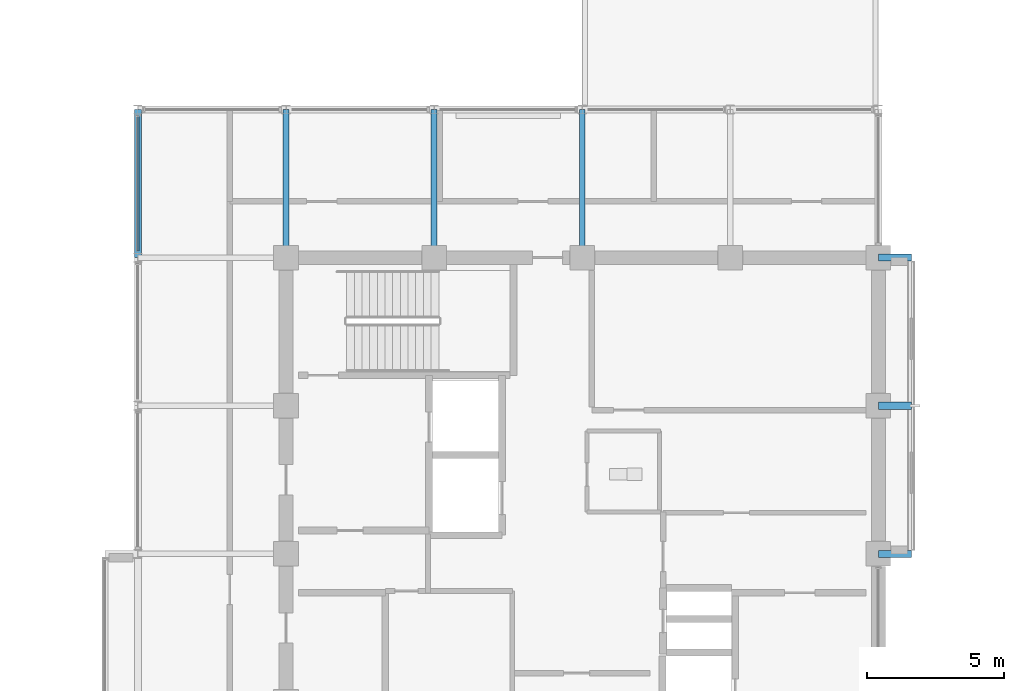
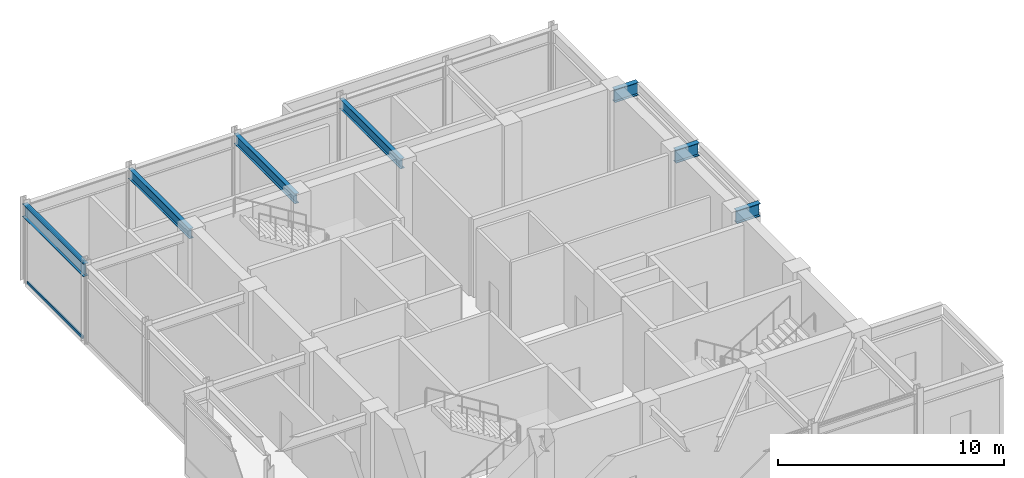
# One storey, part 8 of 18: 7 beams, 2 members, 1 element without a shape of its own.
"""IFC4 building model written with IfcOpenShell, lengths in metres."""

from ifc_helpers import new_model, si_unit, direction, frame, origin, origin_2d, place, context, subcontext, project, spatial, hollow_rectangle, i_section, extrude, material, layer, layer_set, material_profile, profile_set, type_object, element, aggregate, save


model = new_model("IFC4")

# Units and contexts
model_context = context("Model", 3, precision=1e-05, world=origin(), true_north=direction((0.0, 1.0)))
body_context = subcontext(model_context, "Body", "Model", "MODEL_VIEW")
ifc_project = project(units=[si_unit("LENGTHUNIT", "METRE"), si_unit("AREAUNIT", "SQUARE_METRE"), si_unit("VOLUMEUNIT", "CUBIC_METRE"), si_unit("PLANEANGLEUNIT", "RADIAN"), si_unit("MASSUNIT", "GRAM", prefix="KILO")], contexts=[model_context])

# Site, building, storey
site_placement = place(None, origin())
site = spatial("IfcSite", under=ifc_project, at=site_placement, CompositionType="ELEMENT")
building_placement = place(site_placement, origin())
building = spatial("IfcBuilding", under=site, at=building_placement, Name="Surkhivell Harbour Commons", CompositionType="ELEMENT")
storey_placement = place(building_placement, frame((0.0, 0.0, 355.5)))
storey = spatial("IfcBuildingStorey", under=building, at=storey_placement, Name="L92", CompositionType="ELEMENT", Elevation=355.5)

# Beams
ifc_material_1 = material(Name="Steel S460", Category="steel")
ifc_material_profile_1 = material_profile(ifc_material_1, i_section(OverallWidth=0.256103515625, OverallDepth=0.693115234375, WebThickness=0.014404296875, FlangeThickness=0.023681640625, at=origin_2d()), Name="UB686x254x170")
ifc_profile_set_1 = profile_set([ifc_material_profile_1], Name="Steel S460")
beam_type_1 = type_object("IfcBeamType", Name="BM-CNT-686", PredefinedType="BEAM", material=ifc_profile_set_1)
for number, where, z_axis, x_axis, name in (
    (1, (10.800048828125, 0.0, 3.87353515625), (1.0, 0.0, 0.0), (0.0, 1.0, 0.0), "L92 Box Cantilever Outrigger (10.8,0.0)"),
    (2, (10.800048828125, 5.39990234375, 3.87353515625), (1.0, 0.0, 0.0), (0.0, 1.0, 0.0), "L92 Box Cantilever Outrigger (10.8,5.4)"),
    (3, (10.800048828125, 10.800048828125, 3.87353515625), (1.0, 0.0, 0.0), (0.0, 1.0, 0.0), "L92 Box Cantilever Outrigger (10.8,10.8)"),
):
    element("IfcBeam", number, at=place(storey_placement, frame(where, z_axis=z_axis, x_axis=x_axis)), inside=storey, type_object=beam_type_1, Name=name, PredefinedType="BEAM", context=body_context, shape_type="SweptSolid", body=[
        extrude(i_section(OverallWidth=0.256103515625, OverallDepth=0.693115234375, WebThickness=0.014404296875, FlangeThickness=0.023681640625, at=origin_2d()), origin(), (0.0, 0.0, 1.0), 1.199951171875),
    ])
ifc_material_2 = material(Name="Steel S355", Category="steel")
ifc_material_profile_2 = material_profile(ifc_material_2, i_section(OverallWidth=0.2099609375, OverallDepth=0.537109375, WebThickness=0.0107421875, FlangeThickness=0.017333984375, at=origin_2d()), Name="UB533x210x101")
ifc_profile_set_2 = profile_set([ifc_material_profile_2], Name="Steel S355")
beam_type_2 = type_object("IfcBeamType", Name="BM-GRD-533B", PredefinedType="BEAM", material=ifc_profile_set_2)
for number, where, z_axis, x_axis, name in (
    (4, (-10.800048828125, 10.800048828125, 3.951416015625), (0.0, 1.0, 0.0), (-1.0, 0.0, 0.0), "L92 Floor Girder (-10.8,10.8)"),
    (5, (-5.39990234375, 10.800048828125, 3.951416015625), (0.0, 1.0, 0.0), (-1.0, 0.0, 0.0), "L92 Floor Girder (-5.4,10.8)"),
    (6, (0.0, 10.800048828125, 3.951416015625), (0.0, 1.0, 0.0), (-1.0, 0.0, 0.0), "L92 Floor Girder (0.0,10.8)"),
):
    element("IfcBeam", number, at=place(storey_placement, frame(where, z_axis=z_axis, x_axis=x_axis)), inside=storey, type_object=beam_type_2, Name=name, PredefinedType="BEAM", context=body_context, shape_type="SweptSolid", body=[
        extrude(i_section(OverallWidth=0.2099609375, OverallDepth=0.537109375, WebThickness=0.0107421875, FlangeThickness=0.017333984375, at=origin_2d()), origin(), (0.0, 0.0, 1.0), 5.39990234375),
    ])
ifc_material_profile_3 = material_profile(ifc_material_2, i_section(OverallWidth=0.256103515625, OverallDepth=0.693115234375, WebThickness=0.014404296875, FlangeThickness=0.023681640625, at=origin_2d()), Name="UB686x254x170")
ifc_profile_set_3 = profile_set([ifc_material_profile_3], Name="Steel S355")
beam_type_3 = type_object("IfcBeamType", Name="BM-SPN-686", PredefinedType="SPANDREL", material=ifc_profile_set_3)
beam_placement = place(storey_placement, frame((-16.199951171875, 10.800048828125, 3.87353515625), z_axis=(0.0, 1.0, 0.0), x_axis=(-1.0, 0.0, 0.0)))
element("IfcBeam", 7, at=beam_placement, inside=storey, type_object=beam_type_3, Name="L92 Tube Spandrel (-16.2,10.8)", PredefinedType="SPANDREL", context=body_context, shape_type="SweptSolid", body=[
    extrude(i_section(OverallWidth=0.256103515625, OverallDepth=0.693115234375, WebThickness=0.014404296875, FlangeThickness=0.023681640625, at=origin_2d()), origin(), (0.0, 0.0, 1.0), 5.39990234375),
])

# Curtain wall, members
ifc_material_3 = material(Name="Anodised pale-metal aluminium and insulated glazing", Category="aluminium")
ifc_layer = layer(ifc_material_3, 0.22998046875)
ifc_layer_set = layer_set([ifc_layer], Name="Anodised pale-metal aluminium and insulated glazing")
curtain_wall_type = type_object("IfcCurtainWallType", Name="CW-SYS-CRN", PredefinedType="NOTDEFINED", material=ifc_layer_set)
curtain_wall_placement = place(storey_placement, origin())
curtain_wall = element("IfcCurtainWall", 8, at=curtain_wall_placement, inside=storey, type_object=curtain_wall_type, Name="L92 Curtain Wall CW-L92-C03S2", PredefinedType="NOTDEFINED")
ifc_material_4 = material(Name="Anodised pale-metal aluminium alloy 6063-T6", Category="aluminium")
ifc_material_profile_4 = material_profile(ifc_material_4, hollow_rectangle(XDim=0.074951171875, YDim=0.14990234375, WallThickness=0.00341796875, at=origin_2d()), Name="ALU-TRAN-75x150")
ifc_profile_set_4 = profile_set([ifc_material_profile_4], Name="Anodised pale-metal aluminium alloy 6063-T6")
member_type = type_object("IfcMemberType", Name="CWT-150", PredefinedType="USERDEFINED", material=ifc_profile_set_4)
member_1_placement = place(storey_placement, frame((-16.199951171875, 15.952880859375, 0.074951171875), z_axis=(0.0, -1.0, 0.0), x_axis=(1.0, 0.0, 0.0)))
member_1 = element("IfcMember", 9, at=member_1_placement, type_object=member_type, Name="CW-CRN transom 1.1", ObjectType="TRANSOM", PredefinedType="USERDEFINED", context=body_context, shape_type="SweptSolid", body=[
    extrude(hollow_rectangle(XDim=0.074951171875, YDim=0.14990234375, WallThickness=0.00341796875, at=origin_2d()), origin(), (0.0, 0.0, 1.0), 4.90576171875),
])
member_2_placement = place(storey_placement, frame((-16.199951171875, 15.952880859375, 4.14501953125), z_axis=(0.0, -1.0, 0.0), x_axis=(1.0, 0.0, 0.0)))
member_2 = element("IfcMember", 10, at=member_2_placement, type_object=member_type, Name="CW-CRN transom 1.2", ObjectType="TRANSOM", PredefinedType="USERDEFINED", context=body_context, shape_type="SweptSolid", body=[
    extrude(hollow_rectangle(XDim=0.074951171875, YDim=0.14990234375, WallThickness=0.00341796875, at=origin_2d()), origin(), (0.0, 0.0, 1.0), 4.90576171875),
])
aggregate(curtain_wall, [member_1, member_2])

save(model, "model.ifc")
